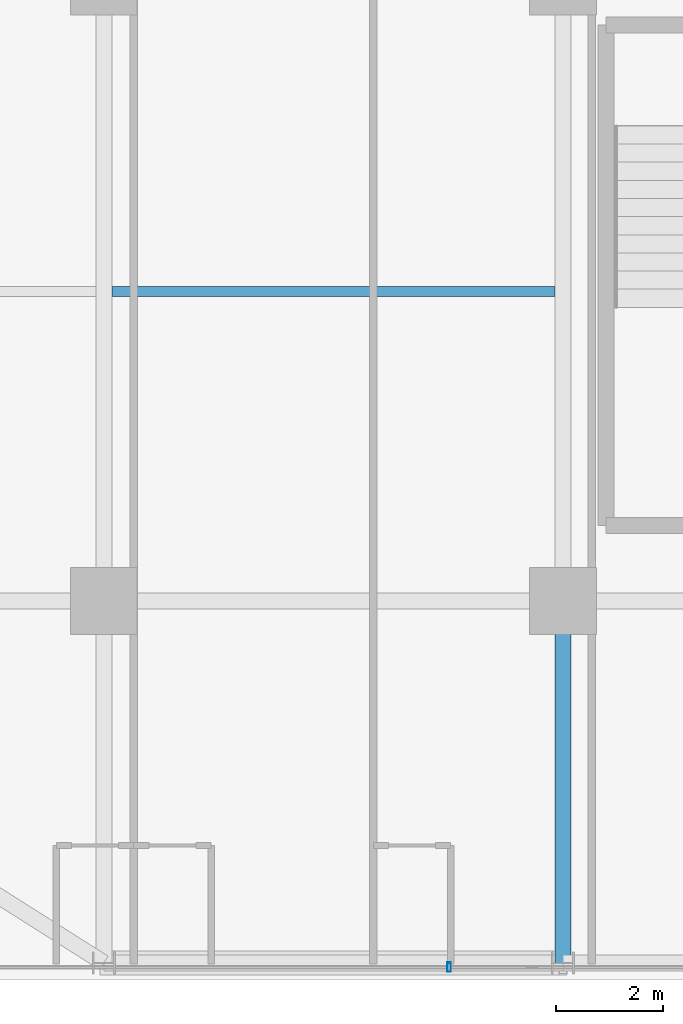
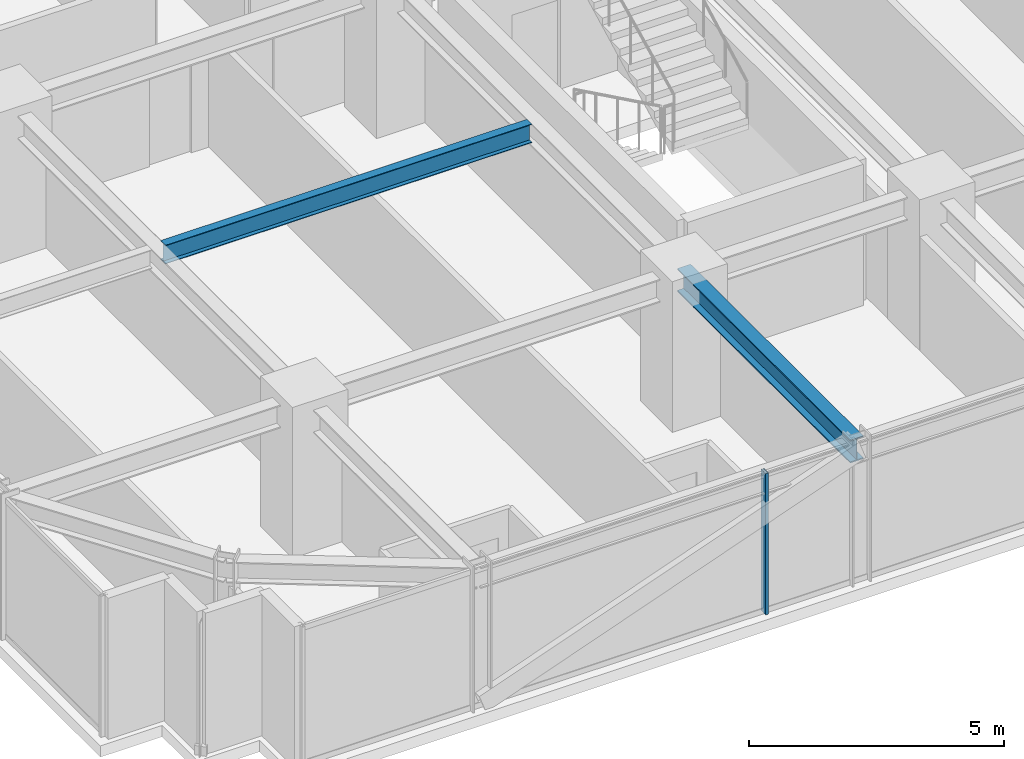
# One storey, part 5 of 39: 2 beams, 1 member, 1 element without a shape of its own.
"""IFC4 building model written with IfcOpenShell, lengths in metres."""

import ifcopenshell
import ifcopenshell.guid

model = None  # the IFC model being written
_history = None  # IfcOwnerHistory: only IFC2X3 demands one
_inside = {}  # id of a spatial element -> (the spatial element, [elements in it])
_under = {}  # id of a project, library or spatial element -> (it, [spatial elements below it])
_declared = {}  # id of a project -> (the project, [libraries it declares])
_typed = {}  # id of a type object -> (the type object, [elements of that type])
_made_of = {}  # id of a material, layer set ... -> (it, [elements and type objects made of it])


def new_model(schema):
    """Start an empty IFC model of exactly this schema.

    Asked for "IFC4X3", IfcOpenShell would pick the latest addendum, in which some entities
    have other attributes; the version numbers below select the first issue.
    IFC2X3 requires an IfcOwnerHistory on every rooted entity: one is made here for all.
    """
    global model, _history
    if schema == "IFC4X3":
        model = ifcopenshell.file(schema_version=(4, 3, 0, 0))
    else:
        model = ifcopenshell.file(schema=schema)
    _inside.clear()
    _under.clear()
    _declared.clear()
    _typed.clear()
    _made_of.clear()
    _history = None
    if model.schema == "IFC2X3":
        org = make("IfcOrganization", Name="unknown")
        user = make(
            "IfcPersonAndOrganization",
            ThePerson=make("IfcPerson", FamilyName="unknown"),
            TheOrganization=org,
        )
        app = make(
            "IfcApplication",
            ApplicationDeveloper=org,
            Version="unknown",
            ApplicationFullName="unknown",
            ApplicationIdentifier="unknown",
        )
        _history = make(
            "IfcOwnerHistory",
            OwningUser=user,
            OwningApplication=app,
            ChangeAction="ADDED",
            CreationDate=0,
        )
    return model


def make(cls, **values):
    """One entity of the class cls with the attributes given. An attribute that is None is left unset."""
    return model.create_entity(
        cls, **{name: value for name, value in values.items() if value is not None}
    )


def rooted(cls, **values):
    """An entity with a GlobalId (a new one), such as an element, a storey or a relation."""
    return make(cls, GlobalId=ifcopenshell.guid.new(), OwnerHistory=_history, **values)


def si_unit(unit_type, name, prefix=None):
    """IfcSIUnit, for example si_unit("LENGTHUNIT", "METRE", prefix="MILLI")."""
    return make("IfcSIUnit", UnitType=unit_type, Prefix=prefix, Name=name)


def assignment(units):
    """IfcUnitAssignment: the units of a project."""
    return None if units is None else make("IfcUnitAssignment", Units=units)


def point(xyz):
    """IfcCartesianPoint."""
    return None if xyz is None else make("IfcCartesianPoint", Coordinates=xyz)


def direction(xyz):
    """IfcDirection."""
    return None if xyz is None else make("IfcDirection", DirectionRatios=xyz)


def frame(location, z_axis=None, x_axis=None):
    """IfcAxis2Placement3D, a coordinate frame: its origin and axes. An axis left out is left unset."""
    return make(
        "IfcAxis2Placement3D",
        Location=point(location),
        Axis=direction(z_axis),
        RefDirection=direction(x_axis),
    )


def frame_2d(location, x_axis=None):
    """IfcAxis2Placement2D, a coordinate frame in the plane: its origin and x axis."""
    return make(
        "IfcAxis2Placement2D", Location=point(location), RefDirection=direction(x_axis)
    )


def origin():
    """The frame at (0, 0, 0) with its axes left unset."""
    return frame((0.0, 0.0, 0.0))


def origin_2d():
    """The frame at (0, 0) in the plane with its x axis left unset."""
    return frame_2d((0.0, 0.0))


def place(relative_to, where):
    """IfcLocalPlacement: puts the frame where relative to a parent placement (None: the world)."""
    return make(
        "IfcLocalPlacement", PlacementRelTo=relative_to, RelativePlacement=where
    )


def context(
    kind, dimensions, precision=None, world=None, true_north=None, identifier=None
):
    """IfcGeometricRepresentationContext, for example the 3D "Model" context."""
    return make(
        "IfcGeometricRepresentationContext",
        ContextIdentifier=identifier,
        ContextType=kind,
        CoordinateSpaceDimension=dimensions,
        Precision=precision,
        WorldCoordinateSystem=world,
        TrueNorth=true_north,
    )


def subcontext(parent, identifier, kind, view, scale=None):
    """IfcGeometricRepresentationSubContext, for example "Body" below "Model"."""
    return make(
        "IfcGeometricRepresentationSubContext",
        ContextIdentifier=identifier,
        ContextType=kind,
        ParentContext=parent,
        TargetScale=scale,
        TargetView=view,
    )


def project(units=None, contexts=None):
    """IfcProject with its units and contexts."""
    return rooted(
        "IfcProject",
        Name="project",
        RepresentationContexts=contexts,
        UnitsInContext=assignment(units),
    )


def spatial(cls, under=None, at=None, **own):
    """A site, building, storey or space (cls), placed at a placement, below another one or the project."""
    s = rooted(cls, ObjectPlacement=at, **own)
    if under is not None:
        _under.setdefault(under.id(), (under, []))[1].append(s)
    return s


def profile(cls, at=None, kind="AREA", **sizes):
    """A parametric profile (cls). Its sizes go by their IFC names, for example OverallWidth=200.0."""
    return make(cls, ProfileType=kind, Position=at, **sizes)


def hollow_rectangle(**sizes):
    """IfcRectangleHollowProfileDef."""
    return profile("IfcRectangleHollowProfileDef", **sizes)


def i_section(**sizes):
    """IfcIShapeProfileDef."""
    return profile("IfcIShapeProfileDef", **sizes)


def extrude(swept, where, along, depth):
    """IfcExtrudedAreaSolid: the profile swept, set in the frame where, extruded along a direction by depth."""
    return make(
        "IfcExtrudedAreaSolid",
        SweptArea=swept,
        Position=where,
        ExtrudedDirection=direction(along),
        Depth=depth,
    )


def shape(context_of_items, identifier, shape_type, items):
    """IfcShapeRepresentation: the items that make up one representation, for example the "Body"."""
    return make(
        "IfcShapeRepresentation",
        ContextOfItems=context_of_items,
        RepresentationIdentifier=identifier,
        RepresentationType=shape_type,
        Items=items,
    )


def source(mapping_origin, context_of_items, identifier, shape_type, items):
    """IfcRepresentationMap: a shape defined once, which mapped items show again and again."""
    return make(
        "IfcRepresentationMap",
        MappingOrigin=mapping_origin,
        MappedRepresentation=shape(context_of_items, identifier, shape_type, items),
    )


def transform(
    local_origin,
    x_axis=None,
    y_axis=None,
    z_axis=None,
    scale=None,
    scale2=None,
    scale3=None,
    uniform=True,
):
    """IfcCartesianTransformationOperator3D, or its non-uniform kind. x_axis, y_axis, z_axis: its Axis1, 2, 3."""
    if uniform:
        return make(
            "IfcCartesianTransformationOperator3D",
            Axis1=direction(x_axis),
            Axis2=direction(y_axis),
            LocalOrigin=point(local_origin),
            Scale=scale,
            Axis3=direction(z_axis),
        )
    return make(
        "IfcCartesianTransformationOperator3DnonUniform",
        Axis1=direction(x_axis),
        Axis2=direction(y_axis),
        LocalOrigin=point(local_origin),
        Scale=scale,
        Axis3=direction(z_axis),
        Scale2=scale2,
        Scale3=scale3,
    )


def mapped(mapping_source, mapping_target):
    """IfcMappedItem: shows the shape of a source again, moved by a transform."""
    return make(
        "IfcMappedItem", MappingSource=mapping_source, MappingTarget=mapping_target
    )


def material(Name=None, Category=None):
    """IfcMaterial."""
    return make("IfcMaterial", Name=Name, Category=Category)


def material_profile(
    of_material, cross_section, Name=None, Category=None, Priority=None
):
    """IfcMaterialProfile: a cross section and its material."""
    return make(
        "IfcMaterialProfile",
        Name=Name,
        Material=of_material,
        Profile=cross_section,
        Priority=Priority,
        Category=Category,
    )


def profile_set(profiles, Name=None, composite=None):
    """IfcMaterialProfileSet."""
    return make(
        "IfcMaterialProfileSet",
        Name=Name,
        MaterialProfiles=profiles,
        CompositeProfile=composite,
    )


def made_of(thing, what):
    """Note that an element or type object is made of a material, layer set ...; save() writes the relation."""
    if what is not None:
        _made_of.setdefault(what.id(), (what, []))[1].append(thing)
    return thing


def type_object(cls, material=None, **own):
    """A type object (cls), such as IfcWallType, which elements share."""
    return made_of(rooted(cls, **own), material)


def element(
    cls,
    number,
    at=None,
    inside=None,
    cuts=None,
    type_object=None,
    material=None,
    context=None,
    identifier="Body",
    shape_type=None,
    held_by="IfcProductDefinitionShape",
    body=None,
    shapes=None,
    **own,
):
    """One element of the class cls, such as IfcWall. Its Tag is "e" and its number.

    at: its placement. inside: the storey or other place that contains it. cuts: it is an
    opening in that element (IfcRelVoidsElement). A single representation is given by context,
    identifier, shape_type and body (its items); several are given by shapes. held_by: the class
    of the entity that holds the representations. save() writes the other relations.
    """
    e = rooted(cls, Tag="e%d" % number, ObjectPlacement=at, **own)
    if body is not None:
        shapes = [shape(context, identifier, shape_type, body)]
    if shapes is not None:
        e.Representation = make(held_by, Representations=shapes)
    if inside is not None:
        _inside.setdefault(inside.id(), (inside, []))[1].append(e)
    if cuts is not None:
        rooted(
            "IfcRelVoidsElement", RelatingBuildingElement=cuts, RelatedOpeningElement=e
        )
    if type_object is not None:
        _typed.setdefault(type_object.id(), (type_object, []))[1].append(e)
    return made_of(e, material)


def aggregate(whole, parts):
    """IfcRelAggregates: a whole, such as a stair, and the parts it consists of."""
    return rooted("IfcRelAggregates", RelatingObject=whole, RelatedObjects=parts)


def save(model, path):
    """Write the relations noted so far, then the file.

    IfcRelAggregates (storeys below a building ...), IfcRelContainedInSpatialStructure (elements
    in a storey), IfcRelDefinesByType, IfcRelAssociatesMaterial and IfcRelDeclares: one each for
    every whole, place, type object, material and project.
    """
    for whole, parts in _under.values():
        aggregate(whole, parts)
    for where, things in _inside.values():
        rooted(
            "IfcRelContainedInSpatialStructure",
            RelatedElements=things,
            RelatingStructure=where,
        )
    for kind, things in _typed.values():
        rooted("IfcRelDefinesByType", RelatedObjects=things, RelatingType=kind)
    for what, things in _made_of.values():
        rooted("IfcRelAssociatesMaterial", RelatedObjects=things, RelatingMaterial=what)
    for by, libraries in _declared.values():
        rooted("IfcRelDeclares", RelatingContext=by, RelatedDefinitions=libraries)
    model.write(path)


model = new_model("IFC4")

# Units and contexts
model_context = context("Model", 3, precision=1e-05, world=origin(), true_north=direction((0.0, 1.0)))
body_context = subcontext(model_context, "Body", "Model", "MODEL_VIEW")
ifc_project = project(units=[si_unit("LENGTHUNIT", "METRE"), si_unit("AREAUNIT", "SQUARE_METRE"), si_unit("VOLUMEUNIT", "CUBIC_METRE"), si_unit("PLANEANGLEUNIT", "RADIAN"), si_unit("MASSUNIT", "GRAM", prefix="KILO")], contexts=[model_context])

# Site, building, storey
site_placement = place(None, origin())
site = spatial("IfcSite", under=ifc_project, at=site_placement, CompositionType="ELEMENT")
building_placement = place(site_placement, origin())
building = spatial("IfcBuilding", under=site, at=building_placement, Name="Nahalor Promenade Grand Hotel", CompositionType="ELEMENT")
storey_placement = place(building_placement, frame((0.0, 0.0, 135.75)))
storey = spatial("IfcBuildingStorey", under=building, at=storey_placement, Name="L34", CompositionType="ELEMENT", Elevation=135.75)

# Beams
ifc_material_1 = material(Name="Steel S355JR", Category="steel")
ifc_material_profile_1 = material_profile(ifc_material_1, i_section(OverallWidth=0.3, OverallDepth=0.55, WebThickness=0.015, FlangeThickness=0.029, at=origin_2d()), Name="HEB 550")
ifc_profile_set_1 = profile_set([ifc_material_profile_1], Name="Steel S355JR")
beam_type_1 = type_object("IfcBeamType", Name="Beam-Girder-HEB550", PredefinedType="BEAM", material=ifc_profile_set_1)
shared_shape_1 = source(origin(), body_context, "Body", "SweptSolid", [
    extrude(i_section(OverallWidth=0.3, OverallDepth=0.55, WebThickness=0.015, FlangeThickness=0.029, at=origin_2d()), origin(), (0.0, 0.0, 1.0), 6.780029296875),
])
beam_1_placement = place(storey_placement, frame((-8.39990234375, -23.780029296875, 3.10498046875), z_axis=(0.0, 1.0, 0.0), x_axis=(-1.0, 0.0, 0.0)))
element("IfcBeam", 1, at=beam_1_placement, inside=storey, type_object=beam_type_1, Name="BM-L34-GY-1-0", PredefinedType="BEAM", context=body_context, shape_type="MappedRepresentation", body=[
    mapped(shared_shape_1, transform((0.0, 0.0, 0.0), scale=1.0)),
])
ifc_material_profile_2 = material_profile(ifc_material_1, i_section(OverallWidth=0.19, OverallDepth=0.45, WebThickness=0.0094, FlangeThickness=0.0146, at=origin_2d()), Name="IPE 450")
ifc_profile_set_2 = profile_set([ifc_material_profile_2], Name="Steel S355JR")
beam_type_2 = type_object("IfcBeamType", Name="Beam-Joist-IPE450", PredefinedType="JOIST", material=ifc_profile_set_2)
shared_shape_2 = source(origin(), body_context, "Body", "SweptSolid", [
    extrude(i_section(OverallWidth=0.19, OverallDepth=0.45, WebThickness=0.0094, FlangeThickness=0.0146, at=origin_2d()), origin(), (0.0, 0.0, 1.0), 8.300048828125),
])
beam_2_placement = place(storey_placement, frame((-16.85009765625, -11.199951171875, 3.155029296875), z_axis=(1.0, 0.0, 0.0), x_axis=(0.0, 1.0, 0.0)))
element("IfcBeam", 2, at=beam_2_placement, inside=storey, type_object=beam_type_2, Name="BM-L34-JSW-0-1", PredefinedType="JOIST", context=body_context, shape_type="MappedRepresentation", body=[
    mapped(shared_shape_2, transform((0.0, 0.0, 0.0), scale=1.0)),
])

# Curtain wall, member
ifc_material_2 = material(Name="Anodised Bronze Aluminium EN AW-6063 T6", Category="aluminium")
curtain_wall_type = type_object("IfcCurtainWallType", Name="CW2 Typical Hotel Flush Bronze Unitised Curtain Wall", PredefinedType="USERDEFINED", material=ifc_material_2)
curtain_wall_placement = place(storey_placement, origin())
curtain_wall = element("IfcCurtainWall", 3, at=curtain_wall_placement, inside=storey, type_object=curtain_wall_type, Name="L34 Curtain Wall CW-L34-S-1", ObjectType="UNITISED_CURTAIN_WALL", PredefinedType="USERDEFINED")
ifc_material_profile_3 = material_profile(ifc_material_2, hollow_rectangle(XDim=0.065, YDim=0.18, WallThickness=0.004, at=origin_2d()), Name="CWM 65x180x4")
ifc_profile_set_3 = profile_set([ifc_material_profile_3], Name="Anodised Bronze Aluminium EN AW-6063 T6")
member_type = type_object("IfcMemberType", Name="CWM2 Typical Bronze Mullion 65x180", PredefinedType="MULLION", material=ifc_profile_set_3)
shared_shape_3 = source(origin(), body_context, "Body", "SweptSolid", [
    extrude(hollow_rectangle(XDim=0.065, YDim=0.18, WallThickness=0.004, at=origin_2d()), origin(), (0.0, 0.0, 1.0), 3.3798828125),
])
member_placement = place(storey_placement, frame((-10.530029296875, -23.860107421875, 0.0), z_axis=(0.0, 0.0, 1.0), x_axis=(1.0, 0.0, 0.0)))
member = element("IfcMember", 4, at=member_placement, type_object=member_type, Name="CW-L34-S-1 Mullion 1", PredefinedType="MULLION", context=body_context, shape_type="MappedRepresentation", body=[
    mapped(shared_shape_3, transform((0.0, 0.0, 0.0), scale=1.0)),
])
aggregate(curtain_wall, [member])

save(model, "model.ifc")
